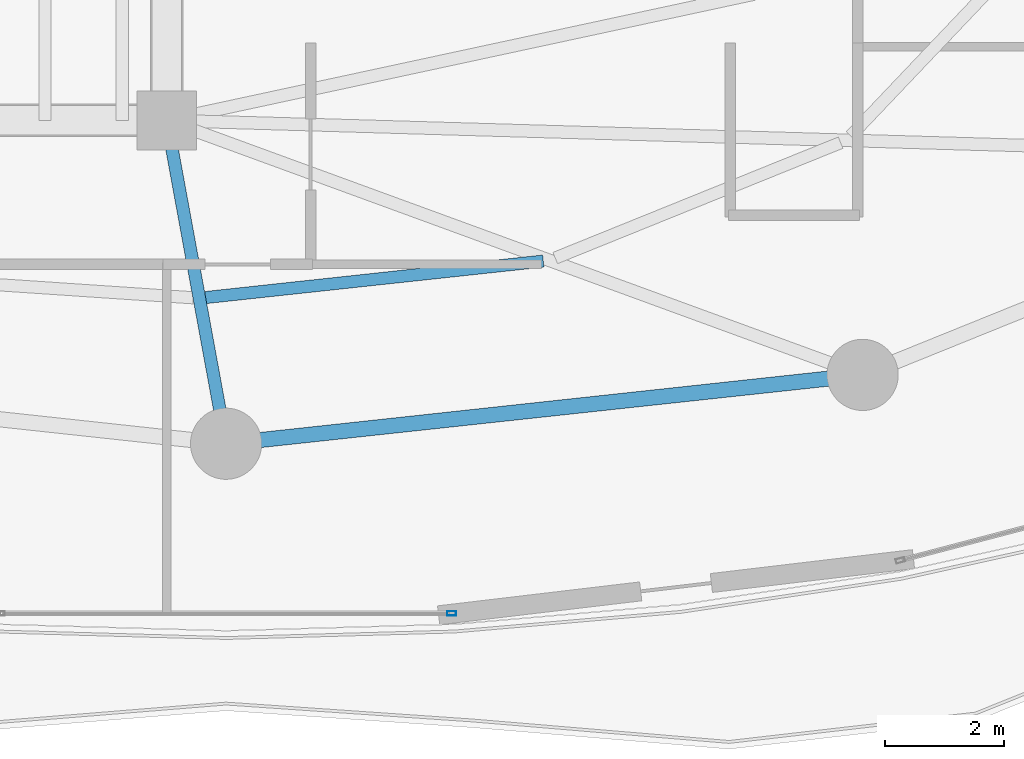
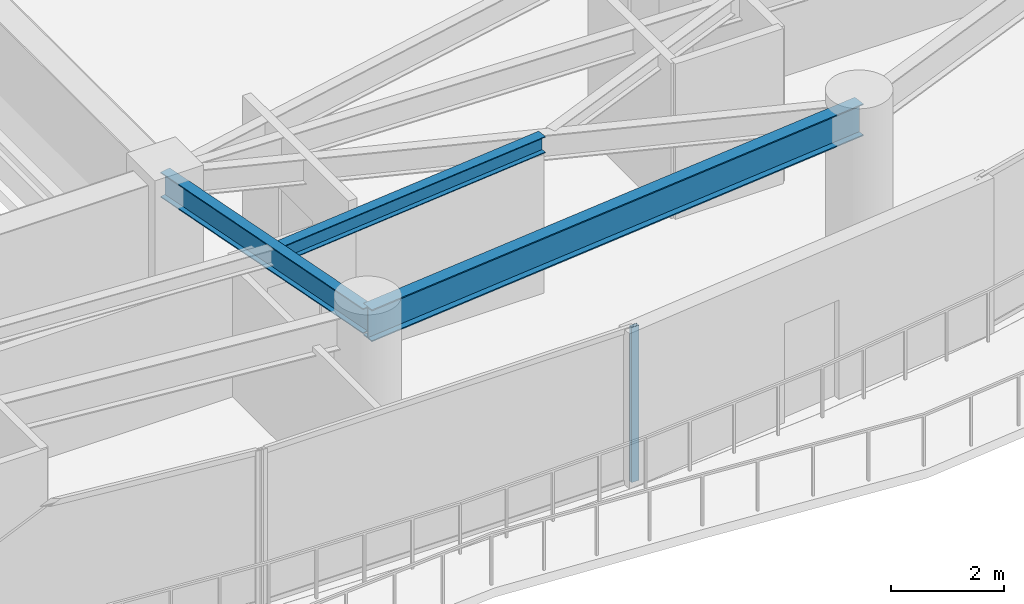
# One storey, part 10 of 34: 3 beams, 1 member, 1 element without a shape of its own.
"""IFC4 building model written with IfcOpenShell, lengths in metres."""

from ifc_helpers import new_model, si_unit, direction, frame, origin, origin_2d, place, context, subcontext, project, spatial, hollow_rectangle, i_section, extrude, material, layer, layer_set, material_profile, profile_set, type_object, element, aggregate, save


model = new_model("IFC4")

# Units and contexts
model_context = context("Model", 3, precision=1e-05, world=origin(), true_north=direction((0.0, 1.0)))
body_context = subcontext(model_context, "Body", "Model", "MODEL_VIEW")
ifc_project = project(units=[si_unit("LENGTHUNIT", "METRE"), si_unit("AREAUNIT", "SQUARE_METRE"), si_unit("VOLUMEUNIT", "CUBIC_METRE"), si_unit("PLANEANGLEUNIT", "RADIAN"), si_unit("MASSUNIT", "GRAM", prefix="KILO")], contexts=[model_context])

# Site, building, storey
site_placement = place(None, origin())
site = spatial("IfcSite", under=ifc_project, at=site_placement, CompositionType="ELEMENT")
building_placement = place(site_placement, origin())
building = spatial("IfcBuilding", under=site, at=building_placement, Name="Kazevale Care Tower and Concert Hall", CompositionType="ELEMENT")
storey_placement = place(building_placement, frame((0.0, 0.0, 167.39990234375)))
storey = spatial("IfcBuildingStorey", under=building, at=storey_placement, Name="L44", CompositionType="ELEMENT", Elevation=167.39990234375)

# Curtain wall, member
ifc_material_1 = material(Name="Aluminium 6063-T6 and Low-E Glass", Category="aluminium")
ifc_layer = layer(ifc_material_1, 0.179931640625)
ifc_layer_set = layer_set([ifc_layer], Name="Aluminium 6063-T6 and Low-E Glass")
curtain_wall_type = type_object("IfcCurtainWallType", Name="Sheltered Concave Balcony Curtain Wall CW-5", PredefinedType="NOTDEFINED", material=ifc_layer_set)
curtain_wall_placement = place(storey_placement, origin())
curtain_wall = element("IfcCurtainWall", 1, at=curtain_wall_placement, inside=storey, type_object=curtain_wall_type, Name="cw:L44:f06", PredefinedType="NOTDEFINED")
ifc_material_2 = material(Name="Aluminium 6063-T6", Category="aluminium")
ifc_material_profile_1 = material_profile(ifc_material_2, hollow_rectangle(XDim=0.074951171875, YDim=0.14990234375, WallThickness=0.00390625, at=origin_2d()), Name="ALU75x150x4")
ifc_profile_set_1 = profile_set([ifc_material_profile_1], Name="Aluminium 6063-T6")
member_type = type_object("IfcMemberType", Name="CW-5 Mullion ALU75x150x4", PredefinedType="MULLION", material=ifc_profile_set_1)
member_placement = place(storey_placement, frame((48.803466796875, 15.2890625, 0.0), z_axis=(0.0, 0.0, 1.0), x_axis=(0.0, -1.0, 0.0)))
member = element("IfcMember", 2, at=member_placement, type_object=member_type, Name="CW-5 mullion 1", PredefinedType="MULLION", context=body_context, shape_type="SweptSolid", body=[
    extrude(hollow_rectangle(XDim=0.074951171875, YDim=0.14990234375, WallThickness=0.00390625, at=origin_2d()), origin(), (0.0, 0.0, 1.0), 3.360107421875),
])
aggregate(curtain_wall, [member])

# Beams
ifc_material_3 = material(Name="Steel ASTM A572 Gr 50", Category="steel")
ifc_material_profile_2 = material_profile(ifc_material_3, i_section(OverallWidth=0.2119140625, OverallDepth=0.5439453125, WebThickness=0.01318359375, FlangeThickness=0.021240234375, at=origin_2d()), Name="W530x123")
ifc_profile_set_2 = profile_set([ifc_material_profile_2], Name="Steel ASTM A572 Gr 50")
beam_type_1 = type_object("IfcBeamType", Name="Radial Floor Girder W530x123", PredefinedType="BEAM", material=ifc_profile_set_2)
beam_1_placement = place(storey_placement, frame((44.0, 23.60009765625, 3.088134765625), z_axis=(0.180467114023, -0.983581018908, 0.0), x_axis=(0.983581018908, 0.180467114023, 0.0)))
element("IfcBeam", 3, at=beam_1_placement, inside=storey, type_object=beam_type_1, Name="beam:L44:rad:13", PredefinedType="BEAM", context=body_context, shape_type="SweptSolid", body=[
    extrude(i_section(OverallWidth=0.2119140625, OverallDepth=0.5439453125, WebThickness=0.01318359375, FlangeThickness=0.021240234375, at=origin_2d()), origin(), (0.0, 0.0, 1.0), 5.541259765625),
])
ifc_material_profile_3 = material_profile(ifc_material_3, i_section(OverallWidth=0.205078125, OverallDepth=0.35400390625, WebThickness=0.009521484375, FlangeThickness=0.016845703125, at=origin_2d()), Name="W360x79")
ifc_profile_set_3 = profile_set([ifc_material_profile_3], Name="Steel ASTM A572 Gr 50")
beam_type_2 = type_object("IfcBeamType", Name="Secondary Floor Joist W360x79", PredefinedType="JOIST", material=ifc_profile_set_3)
beam_2_placement = place(storey_placement, frame((44.654052734375, 20.614013671875, 3.18310546875), z_axis=(0.994215541126, 0.107403248482, 0.0), x_axis=(-0.107403248482, 0.994215541126, 0.0)))
element("IfcBeam", 4, at=beam_2_placement, inside=storey, type_object=beam_type_2, Name="beam:L44:joist:13", PredefinedType="JOIST", context=body_context, shape_type="SweptSolid", body=[
    extrude(i_section(OverallWidth=0.205078125, OverallDepth=0.35400390625, WebThickness=0.009521484375, FlangeThickness=0.016845703125, at=origin_2d()), origin(), (0.0, 0.0, 1.0), 5.72607421875),
])
ifc_material_profile_4 = material_profile(ifc_material_3, i_section(OverallWidth=0.256103515625, OverallDepth=0.693115234375, WebThickness=0.014404296875, FlangeThickness=0.023681640625, at=origin_2d()), Name="W690x170")
ifc_profile_set_4 = profile_set([ifc_material_profile_4], Name="Steel ASTM A572 Gr 50")
beam_type_3 = type_object("IfcBeamType", Name="Waist Ring Beam W690x170", PredefinedType="BEAM", material=ifc_profile_set_4)
beam_3_placement = place(storey_placement, frame((45.0, 18.14990234375, 3.013671875), z_axis=(0.994205479487, 0.107496346724, 0.0), x_axis=(-0.107496346724, 0.994205479487, 0.0)))
element("IfcBeam", 5, at=beam_3_placement, inside=storey, type_object=beam_type_3, Name="beam:L44:ring:13", PredefinedType="BEAM", context=body_context, shape_type="SweptSolid", body=[
    extrude(i_section(OverallWidth=0.256103515625, OverallDepth=0.693115234375, WebThickness=0.014404296875, FlangeThickness=0.023681640625, at=origin_2d()), origin(), (0.0, 0.0, 1.0), 10.79248046875),
])

save(model, "model.ifc")
